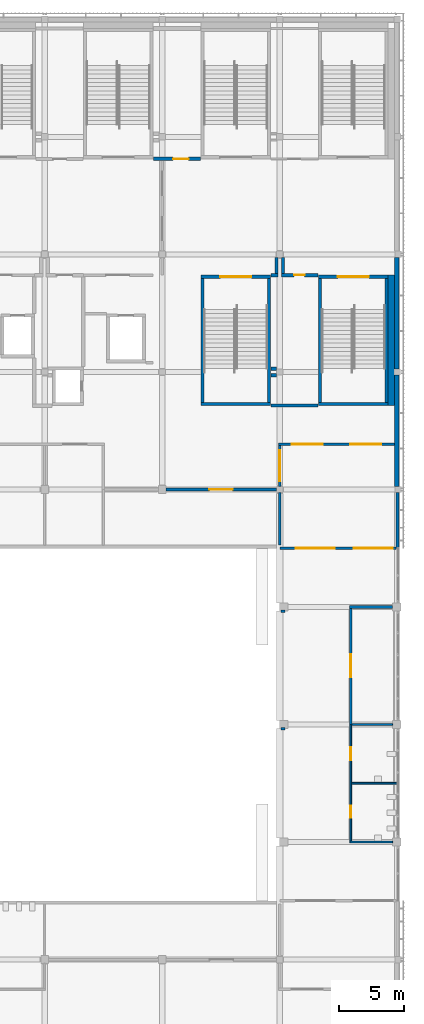
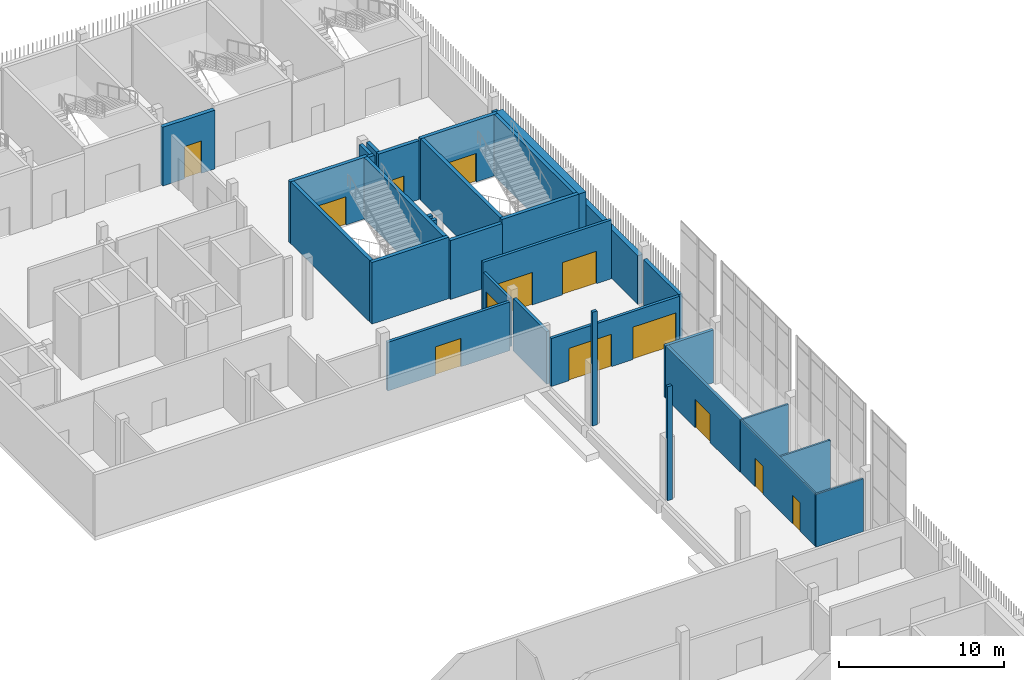
# One storey, part 55 of 91: 33 walls, 13 doors, 13 openings.
"""IFC4 building model written with IfcOpenShell, lengths in metres."""

from ifc_helpers import new_model, si_unit, direction, frame, frame_2d, origin, place, context, subcontext, project, spatial, rectangle, extrude, material, layer, layer_set, type_object, element, fill, save


model = new_model("IFC4")

# Units and contexts
model_context = context("Model", 3, precision=1e-05, world=origin(), true_north=direction((0.0, 1.0)))
body_context = subcontext(model_context, "Body", "Model", "MODEL_VIEW")
ifc_project = project(units=[si_unit("LENGTHUNIT", "METRE"), si_unit("AREAUNIT", "SQUARE_METRE"), si_unit("VOLUMEUNIT", "CUBIC_METRE"), si_unit("PLANEANGLEUNIT", "RADIAN"), si_unit("MASSUNIT", "GRAM", prefix="KILO")], contexts=[model_context])

# Site, building, storey
site_placement = place(None, origin())
site = spatial("IfcSite", under=ifc_project, at=site_placement, CompositionType="ELEMENT")
building_placement = place(site_placement, origin())
building = spatial("IfcBuilding", under=site, at=building_placement, Name="Shirokan Park Arena", CompositionType="ELEMENT")
storey_placement = place(building_placement, frame((0.0, 0.0, 24.570068359375)))
storey = spatial("IfcBuildingStorey", under=building, at=storey_placement, Name="L05", CompositionType="ELEMENT", Elevation=24.570068359375)

# Walls
ifc_material_1 = material(Name="Plaster")
ifc_layer_1 = layer(ifc_material_1, 0.014892578125, Name="Plaster")
ifc_material_2 = material(Name="Concrete blockwork", Category="masonry")
ifc_layer_2 = layer(ifc_material_2, 0.219970703125, Name="Concrete blockwork 220")
ifc_layer_3 = layer(ifc_material_1, 0.014892578125, Name="Plaster")
ifc_layer_set_1 = layer_set([ifc_layer_1, ifc_layer_2, ifc_layer_3], Name="Plaster + Concrete blockwork 220")
wall_type_1 = type_object("IfcWallType", Name="Compartment wall 250", PredefinedType="SOLIDWALL", material=ifc_layer_set_1)
for number, where, z_axis, x_axis, name in (
    (1, (135.830078125, 81.64990234375, 0.0), (0.0, 0.0, 1.0), (1.0, 0.0, 0.0), "Compartment wall 250 L05"),
    (2, (136.25, 82.14990234375, 0.0), (0.0, 0.0, 1.0), (-1.0, 0.0, 0.0), "Compartment wall 250 L05"),
):
    element("IfcWall", number, at=place(storey_placement, frame(where, z_axis=z_axis, x_axis=x_axis)), inside=storey, type_object=wall_type_1, Name=name, PredefinedType="SOLIDWALL", context=body_context, shape_type="SweptSolid", body=[
        extrude(rectangle(XDim=0.419921875, YDim=0.25, at=frame_2d((0.2099609375, 0.0))), origin(), (0.0, 0.0, 1.0), 4.349853515625),
    ])
wall_1_placement = place(storey_placement, frame((136.25, 90.75, 0.0), z_axis=(0.0, 0.0, 1.0), x_axis=(0.0, -1.0, 0.0)))
element("IfcWall", 3, at=wall_1_placement, inside=storey, type_object=wall_type_1, Name="Compartment wall 250 L05", PredefinedType="SOLIDWALL", context=body_context, shape_type="SweptSolid", body=[
    extrude(rectangle(XDim=1.22509765625, YDim=0.25, at=frame_2d((0.612548828125, 0.0))), origin(), (0.0, 0.0, 1.0), 4.349853515625),
])
wall_2_placement = place(storey_placement, frame((136.375, 89.39990234375, 0.0), z_axis=(0.0, 0.0, 1.0), x_axis=(-1.0, 0.0, 0.0)))
element("IfcWall", 4, at=wall_2_placement, inside=storey, type_object=wall_type_1, Name="Compartment wall 250 L05", PredefinedType="SOLIDWALL", context=body_context, shape_type="SweptSolid", body=[
    extrude(rectangle(XDim=0.544921875, YDim=0.25, at=frame_2d((0.2724609375, 0.0))), origin(), (0.0, 0.0, 1.0), 4.349853515625),
])
wall_3_placement = place(storey_placement, frame((136.75, 89.52490234375, 0.0), z_axis=(0.0, 0.0, 1.0), x_axis=(0.0, 1.0, 0.0)))
element("IfcWall", 5, at=wall_3_placement, inside=storey, type_object=wall_type_1, Name="Compartment wall 250 L05", PredefinedType="SOLIDWALL", context=body_context, shape_type="SweptSolid", body=[
    extrude(rectangle(XDim=1.22509765625, YDim=0.25, at=frame_2d((0.612548828125, 0.0))), origin(), (0.0, 0.0, 1.0), 4.349853515625),
])
wall_4_placement = place(storey_placement, frame((139.469970703125, 79.300048828125, 0.0), z_axis=(0.0, 0.0, 1.0), x_axis=(-1.0, 0.0, 0.0)))
element("IfcWall", 6, at=wall_4_placement, inside=storey, type_object=wall_type_1, Name="Compartment wall 250 L05", PredefinedType="SOLIDWALL", context=body_context, shape_type="SweptSolid", body=[
    extrude(rectangle(XDim=3.639892578125, YDim=0.25, at=frame_2d((1.81982421875, 0.0))), origin(), (0.0, 0.0, 1.0), 4.349853515625),
])

# Wall, opening, door
wall_5_placement = place(storey_placement, frame((139.469970703125, 89.39990234375, 0.0), z_axis=(0.0, 0.0, 1.0), x_axis=(-1.0, 0.0, 0.0)))
wall_5 = element("IfcWall", 7, at=wall_5_placement, inside=storey, type_object=wall_type_1, Name="Compartment wall 250 L05", PredefinedType="SOLIDWALL", context=body_context, shape_type="SweptSolid", body=[
    extrude(rectangle(XDim=2.844970703125, YDim=0.25, at=frame_2d((1.42236328125, 0.0))), origin(), (0.0, 0.0, 1.0), 4.349853515625),
])
opening_1_placement = place(wall_5_placement, frame((1.050048828125, 0.0, 0.0)))
opening_1 = element("IfcOpeningElement", 8, at=opening_1_placement, cuts=wall_5, Name="Opening D-5023", PredefinedType="OPENING", context=body_context, shape_type="SweptSolid", body=[
    extrude(rectangle(XDim=0.800048828125, YDim=2.10009765625, at=frame_2d((0.39990234375, 1.050048828125))), frame((0.0, 0.135009765625, 0.0), z_axis=(0.0, -1.0, 0.0), x_axis=(1.0, 0.0, 0.0)), (0.0, 0.0, 1.0), 0.27001953125),
])
ifc_material_3 = material(Name="Timber door set, fire resisting", Category="wood")
door_type_1 = type_object("IfcDoorType", Name="Cleaner store door 800 x 2100", OperationType="SINGLE_SWING_LEFT", PredefinedType="DOOR", material=ifc_material_3)
door_1_placement = place(opening_1_placement, origin())
door_1 = element("IfcDoor", 9, at=door_1_placement, inside=storey, type_object=door_type_1, Name="Door to Cleaner's Store 5.37 D-5023", OperationType="SINGLE_SWING_LEFT", OverallHeight=2.10009765625, OverallWidth=0.800048828125, PredefinedType="DOOR", context=body_context, shape_type="SweptSolid", body=[
    extrude(rectangle(XDim=0.800048828125, YDim=2.10009765625, at=frame_2d((0.39990234375, 1.050048828125))), frame((0.0, 0.02490234375, 0.0), z_axis=(0.0, -1.0, 0.0), x_axis=(1.0, 0.0, 0.0)), (0.0, 0.0, 1.0), 0.050048828125),
])
fill(opening_1, door_1)

ifc_material_4 = material(Name="Gypsum board")
ifc_layer_4 = layer(ifc_material_4, 0.02490234375, Name="Gypsum board, two layers")
ifc_material_5 = material(Name="Mineral wool insulation")
ifc_layer_5 = layer(ifc_material_5, 0.14990234375, Name="Mineral wool insulation")
ifc_layer_6 = layer(ifc_material_4, 0.02490234375, Name="Gypsum board, two layers")
ifc_layer_set_2 = layer_set([ifc_layer_4, ifc_layer_5, ifc_layer_6], Name="Gypsum board, two layers + Mineral wool insulation")
wall_type_2 = type_object("IfcWallType", Name="Corridor wall 200", PredefinedType="PARTITIONING", material=ifc_layer_set_2)
wall_6_placement = place(storey_placement, frame((127.699951171875, 72.800048828125, 0.0), z_axis=(0.0, 0.0, 1.0), x_axis=(1.0, 0.0, 0.0)))
wall_6 = element("IfcWall", 10, at=wall_6_placement, inside=storey, type_object=wall_type_2, Name="Corridor wall 200 L05", PredefinedType="PARTITIONING", context=body_context, shape_type="SweptSolid", body=[
    extrude(rectangle(XDim=8.550048828125, YDim=0.199951171875, at=frame_2d((4.27490234375, 0.0))), origin(), (0.0, 0.0, 1.0), 3.599853515625),
])
opening_2_placement = place(wall_6_placement, frame((3.35009765625, 0.0, 0.0)))
opening_2 = element("IfcOpeningElement", 11, at=opening_2_placement, cuts=wall_6, Name="Opening D-5029", PredefinedType="OPENING", context=body_context, shape_type="SweptSolid", body=[
    extrude(rectangle(XDim=1.800048828125, YDim=2.10009765625, at=frame_2d((0.89990234375, 1.050048828125))), frame((0.0, 0.10986328125, 0.0), z_axis=(0.0, -1.0, 0.0), x_axis=(1.0, 0.0, 0.0)), (0.0, 0.0, 1.0), 0.219970703125),
])
door_type_2 = type_object("IfcDoorType", Name="Double door 1800 x 2100", OperationType="DOUBLE_DOOR_SINGLE_SWING", PredefinedType="DOOR", material=ifc_material_3)
door_2_placement = place(opening_2_placement, origin())
door_2 = element("IfcDoor", 12, at=door_2_placement, inside=storey, type_object=door_type_2, Name="Door to Fan Shop 5.31 D-5029", OperationType="DOUBLE_DOOR_SINGLE_SWING", OverallHeight=2.10009765625, OverallWidth=1.800048828125, PredefinedType="DOOR", context=body_context, shape_type="SweptSolid", body=[
    extrude(rectangle(XDim=1.800048828125, YDim=2.10009765625, at=frame_2d((0.89990234375, 1.050048828125))), frame((0.0, 0.02490234375, 0.0), z_axis=(0.0, -1.0, 0.0), x_axis=(1.0, 0.0, 0.0)), (0.0, 0.0, 1.0), 0.050048828125),
])
fill(opening_2, door_2)

# Wall
wall_7_placement = place(storey_placement, frame((136.5, 72.550048828125, 0.0), z_axis=(0.0, 0.0, 1.0), x_axis=(0.0, -1.0, 0.0)))
element("IfcWall", 13, at=wall_7_placement, inside=storey, type_object=wall_type_2, Name="Corridor wall 200 L05", PredefinedType="PARTITIONING", context=body_context, shape_type="SweptSolid", body=[
    extrude(rectangle(XDim=4.050048828125, YDim=0.199951171875, at=frame_2d((2.02490234375, 0.0))), origin(), (0.0, 0.0, 1.0), 3.89990234375),
])

# Wall, opening, door
wall_8_placement = place(storey_placement, frame((136.5, 76.199951171875, 0.0), z_axis=(0.0, 0.0, 1.0), x_axis=(0.0, -1.0, 0.0)))
wall_8 = element("IfcWall", 14, at=wall_8_placement, inside=storey, type_object=wall_type_2, Name="Corridor wall 200 L05", PredefinedType="PARTITIONING", context=body_context, shape_type="SweptSolid", body=[
    extrude(rectangle(XDim=3.14990234375, YDim=0.199951171875, at=frame_2d((1.574951171875, 0.0))), origin(), (0.0, 0.0, 1.0), 3.599853515625),
])
opening_3_placement = place(wall_8_placement, frame((0.35009765625, 0.0, 0.0)))
opening_3 = element("IfcOpeningElement", 15, at=opening_3_placement, cuts=wall_8, Name="Opening D-5095", PredefinedType="OPENING", context=body_context, shape_type="SweptSolid", body=[
    extrude(rectangle(XDim=2.39990234375, YDim=2.39990234375, at=frame_2d((1.199951171875, 1.199951171875))), frame((0.0, 0.10986328125, 0.0), z_axis=(0.0, -1.0, 0.0), x_axis=(1.0, 0.0, 0.0)), (0.0, 0.0, 1.0), 0.219970703125),
])
ifc_material_6 = material(Name="Steel door set, fire resisting", Category="steel")
door_type_3 = type_object("IfcDoorType", Name="Double door 2400 x 2400", OperationType="DOUBLE_DOOR_SINGLE_SWING", PredefinedType="DOOR", material=ifc_material_6)
door_3_placement = place(opening_3_placement, origin())
door_3 = element("IfcDoor", 16, at=door_3_placement, inside=storey, type_object=door_type_3, Name="Door between Service Corridor 3.5 and Concourse Link 3.5 D-5095", OperationType="DOUBLE_DOOR_SINGLE_SWING", OverallHeight=2.39990234375, OverallWidth=2.39990234375, PredefinedType="DOOR", context=body_context, shape_type="SweptSolid", body=[
    extrude(rectangle(XDim=2.39990234375, YDim=2.39990234375, at=frame_2d((1.199951171875, 1.199951171875))), frame((0.0, 0.02490234375, 0.0), z_axis=(0.0, -1.0, 0.0), x_axis=(1.0, 0.0, 0.0)), (0.0, 0.0, 1.0), 0.050048828125),
])
fill(opening_3, door_3)

# Walls
for number, where, z_axis, x_axis, name in (
    (17, (136.60009765625, 54.27490234375, 0.0), (0.0, 0.0, 1.0), (1.0, 0.0, 0.0), "Corridor wall 200 L05"),
    (18, (136.60009765625, 63.375, 0.0), (0.0, 0.0, 1.0), (1.0, 0.0, 0.0), "Corridor wall 200 L05"),
):
    element("IfcWall", number, at=place(storey_placement, frame(where, z_axis=z_axis, x_axis=x_axis)), inside=storey, type_object=wall_type_2, Name=name, PredefinedType="PARTITIONING", context=body_context, shape_type="SweptSolid", body=[
        extrude(rectangle(XDim=0.324951171875, YDim=0.199951171875, at=frame_2d((0.16259765625, 0.0))), origin(), (0.0, 0.0, 1.0), 8.429931640625),
    ])

# Wall, openings, doors
wall_9_placement = place(storey_placement, frame((136.530029296875, 68.25, 0.0), z_axis=(0.0, 0.0, 1.0), x_axis=(1.0, 0.0, 0.0)))
wall_9 = element("IfcWall", 19, at=wall_9_placement, inside=storey, type_object=wall_type_2, Name="Corridor wall 200 L05", PredefinedType="PARTITIONING", context=body_context, shape_type="SweptSolid", body=[
    extrude(rectangle(XDim=8.969970703125, YDim=0.199951171875, at=frame_2d((4.48486328125, 0.0))), origin(), (0.0, 0.0, 1.0), 3.550048828125),
])
opening_4_placement = place(wall_9_placement, frame((1.219970703125, 0.0, 0.0)))
opening_4 = element("IfcOpeningElement", 20, at=opening_4_placement, cuts=wall_9, Name="Opening D-5104", PredefinedType="OPENING", context=body_context, shape_type="SweptSolid", body=[
    extrude(rectangle(XDim=3.0, YDim=2.39990234375, at=frame_2d((1.5, 1.199951171875))), frame((0.0, 0.10986328125, 0.0), z_axis=(0.0, -1.0, 0.0), x_axis=(1.0, 0.0, 0.0)), (0.0, 0.0, 1.0), 0.219970703125),
])
opening_5_placement = place(wall_9_placement, frame((5.719970703125, 0.0, 0.0)))
opening_5 = element("IfcOpeningElement", 21, at=opening_5_placement, cuts=wall_9, Name="Opening D-5105", PredefinedType="OPENING", context=body_context, shape_type="SweptSolid", body=[
    extrude(rectangle(XDim=3.0, YDim=2.39990234375, at=frame_2d((1.5, 1.199951171875))), frame((0.0, 0.10986328125, 0.0), z_axis=(0.0, -1.0, 0.0), x_axis=(1.0, 0.0, 0.0)), (0.0, 0.0, 1.0), 0.219970703125),
])
ifc_material_7 = material(Name="Glazed steel door set, fire resisting", Category="steel")
door_type_4 = type_object("IfcDoorType", Name="Concourse door 3000 x 2400", OperationType="DOUBLE_DOOR_SINGLE_SWING", PredefinedType="DOOR", material=ifc_material_7)
door_4_placement = place(opening_4_placement, origin())
door_4 = element("IfcDoor", 22, at=door_4_placement, inside=storey, type_object=door_type_4, Name="Door between Concourse Link 3.5 and Concourse L05 East Hall D-5104", OperationType="DOUBLE_DOOR_SINGLE_SWING", OverallHeight=2.39990234375, OverallWidth=3.0, PredefinedType="DOOR", context=body_context, shape_type="SweptSolid", body=[
    extrude(rectangle(XDim=3.0, YDim=2.39990234375, at=frame_2d((1.5, 1.199951171875))), frame((0.0, 0.02490234375, 0.0), z_axis=(0.0, -1.0, 0.0), x_axis=(1.0, 0.0, 0.0)), (0.0, 0.0, 1.0), 0.050048828125),
])
fill(opening_4, door_4)
door_5_placement = place(opening_5_placement, origin())
door_5 = element("IfcDoor", 23, at=door_5_placement, inside=storey, type_object=door_type_4, Name="Door between Concourse Link 3.5 and Concourse L05 East Hall D-5105", OperationType="DOUBLE_DOOR_SINGLE_SWING", OverallHeight=2.39990234375, OverallWidth=3.0, PredefinedType="DOOR", context=body_context, shape_type="SweptSolid", body=[
    extrude(rectangle(XDim=3.0, YDim=2.39990234375, at=frame_2d((1.5, 1.199951171875))), frame((0.0, 0.02490234375, 0.0), z_axis=(0.0, -1.0, 0.0), x_axis=(1.0, 0.0, 0.0)), (0.0, 0.0, 1.0), 0.050048828125),
])
fill(opening_5, door_5)

wall_10_placement = place(storey_placement, frame((145.39990234375, 76.300048828125, 0.0), z_axis=(0.0, 0.0, 1.0), x_axis=(-1.0, 0.0, 0.0)))
wall_10 = element("IfcWall", 24, at=wall_10_placement, inside=storey, type_object=wall_type_2, Name="Corridor wall 200 L05", PredefinedType="PARTITIONING", context=body_context, shape_type="SweptSolid", body=[
    extrude(rectangle(XDim=9.0, YDim=0.199951171875, at=frame_2d((4.5, 0.0))), origin(), (0.0, 0.0, 1.0), 4.349853515625),
])
opening_6_placement = place(wall_10_placement, frame((1.050048828125, 0.0, 0.0)))
opening_6 = element("IfcOpeningElement", 25, at=opening_6_placement, cuts=wall_10, Name="Opening D-5093", PredefinedType="OPENING", context=body_context, shape_type="SweptSolid", body=[
    extrude(rectangle(XDim=2.39990234375, YDim=2.39990234375, at=frame_2d((1.199951171875, 1.199951171875))), frame((0.0, 0.10986328125, 0.0), z_axis=(0.0, -1.0, 0.0), x_axis=(1.0, 0.0, 0.0)), (0.0, 0.0, 1.0), 0.219970703125),
])
opening_7_placement = place(wall_10_placement, frame((5.550048828125, 0.0, 0.0)))
opening_7 = element("IfcOpeningElement", 26, at=opening_7_placement, cuts=wall_10, Name="Opening D-5094", PredefinedType="OPENING", context=body_context, shape_type="SweptSolid", body=[
    extrude(rectangle(XDim=2.39990234375, YDim=2.39990234375, at=frame_2d((1.199951171875, 1.199951171875))), frame((0.0, 0.10986328125, 0.0), z_axis=(0.0, -1.0, 0.0), x_axis=(1.0, 0.0, 0.0)), (0.0, 0.0, 1.0), 0.219970703125),
])
door_6_placement = place(opening_6_placement, origin())
door_6 = element("IfcDoor", 27, at=door_6_placement, inside=storey, type_object=door_type_3, Name="Door between Service Corridor 3.5 and Concourse Link 3.5 D-5093", OperationType="DOUBLE_DOOR_SINGLE_SWING", OverallHeight=2.39990234375, OverallWidth=2.39990234375, PredefinedType="DOOR", context=body_context, shape_type="SweptSolid", body=[
    extrude(rectangle(XDim=2.39990234375, YDim=2.39990234375, at=frame_2d((1.199951171875, 1.199951171875))), frame((0.0, 0.02490234375, 0.0), z_axis=(0.0, -1.0, 0.0), x_axis=(1.0, 0.0, 0.0)), (0.0, 0.0, 1.0), 0.050048828125),
])
fill(opening_6, door_6)
door_7_placement = place(opening_7_placement, origin())
door_7 = element("IfcDoor", 28, at=door_7_placement, inside=storey, type_object=door_type_3, Name="Door between Service Corridor 3.5 and Concourse Link 3.5 D-5094", OperationType="DOUBLE_DOOR_SINGLE_SWING", OverallHeight=2.39990234375, OverallWidth=2.39990234375, PredefinedType="DOOR", context=body_context, shape_type="SweptSolid", body=[
    extrude(rectangle(XDim=2.39990234375, YDim=2.39990234375, at=frame_2d((1.199951171875, 1.199951171875))), frame((0.0, 0.02490234375, 0.0), z_axis=(0.0, -1.0, 0.0), x_axis=(1.0, 0.0, 0.0)), (0.0, 0.0, 1.0), 0.050048828125),
])
fill(opening_7, door_7)

# Walls
ifc_material_8 = material(Name="Cedar cladding")
ifc_layer_7 = layer(ifc_material_8, 0.030029296875, Name="Cedar cladding")
ifc_layer_8 = layer(ifc_material_5, 0.10009765625, Name="Mineral wool insulation")
ifc_material_9 = material(Name="Concrete C35", Category="concrete")
ifc_layer_9 = layer(ifc_material_9, 0.199951171875, Name="Concrete C35")
ifc_material_10 = material(Name="Gypsum board lining")
ifc_layer_10 = layer(ifc_material_10, 0.02001953125, Name="Gypsum board lining")
ifc_layer_set_3 = layer_set([ifc_layer_7, ifc_layer_8, ifc_layer_9, ifc_layer_10], Name="Cedar cladding + Mineral wool insulation + Concrete C35 + Gypsum board lining")
wall_type_3 = type_object("IfcWallType", Name="Insulated tower wall 350", PredefinedType="SOLIDWALL", material=ifc_layer_set_3)
wall_11_placement = place(storey_placement, frame((145.574951171875, 73.050048828125, 0.0), z_axis=(0.0, 0.0, 1.0), x_axis=(0.0, 1.0, 0.0)))
element("IfcWall", 29, at=wall_11_placement, inside=storey, type_object=wall_type_3, Name="East facade wall bay 9 L05", PredefinedType="SOLIDWALL", context=body_context, shape_type="SweptSolid", body=[
    extrude(rectangle(XDim=8.599853515625, YDim=0.35009765625, at=frame_2d((4.2998046875, 0.0))), origin(), (0.0, 0.0, 1.0), 3.599853515625),
])
wall_12_placement = place(storey_placement, frame((145.574951171875, 82.14990234375, 0.0), z_axis=(0.0, 0.0, 1.0), x_axis=(0.0, 1.0, 0.0)))
element("IfcWall", 30, at=wall_12_placement, inside=storey, type_object=wall_type_3, Name="East facade wall bay 10 L05", PredefinedType="SOLIDWALL", context=body_context, shape_type="SweptSolid", body=[
    extrude(rectangle(XDim=8.60009765625, YDim=0.35009765625, at=frame_2d((4.300048828125, 0.0))), origin(), (0.0, 0.0, 1.0), 3.599853515625),
])
ifc_layer_11 = layer(ifc_material_9, 0.125)
ifc_layer_set_4 = layer_set([ifc_layer_11], Name="Concrete C35 125 mm")
wall_type_4 = type_object("IfcWallType", Name="Pavilion RC wall 125", PredefinedType="SOLIDWALL", material=ifc_layer_set_4)
wall_13_placement = place(storey_placement, frame((141.9375, 45.5, 0.0), z_axis=(0.0, 0.0, 1.0), x_axis=(1.0, 0.0, 0.0)))
element("IfcWall", 31, at=wall_13_placement, inside=storey, type_object=wall_type_4, Name="Wet-area wall 125 L05", PredefinedType="PARTITIONING", context=body_context, shape_type="SweptSolid", body=[
    extrude(rectangle(XDim=3.3125, YDim=0.125, at=frame_2d((1.65625, 0.0))), origin(), (0.0, 0.0, 1.0), 3.89990234375),
])

# Wall, openings, doors
wall_14_placement = place(storey_placement, frame((142.0, 45.5625, 0.0), z_axis=(0.0, 0.0, 1.0), x_axis=(0.0, 1.0, 0.0)))
wall_14 = element("IfcWall", 32, at=wall_14_placement, inside=storey, type_object=wall_type_4, Name="Wet-area wall 125 L05", PredefinedType="PARTITIONING", context=body_context, shape_type="SweptSolid", body=[
    extrude(rectangle(XDim=9.03759765625, YDim=0.125, at=frame_2d((4.518798828125, 0.0))), origin(), (0.0, 0.0, 1.0), 3.89990234375),
])
opening_8_placement = place(wall_14_placement, frame((1.83740234375, 0.0, 0.0)))
opening_8 = element("IfcOpeningElement", 33, at=opening_8_placement, cuts=wall_14, Name="Opening D-5044", PredefinedType="OPENING", context=body_context, shape_type="SweptSolid", body=[
    extrude(rectangle(XDim=0.89990234375, YDim=2.10009765625, at=frame_2d((0.449951171875, 1.050048828125))), frame((0.0, 0.072509765625, 0.0), z_axis=(0.0, -1.0, 0.0), x_axis=(1.0, 0.0, 0.0)), (0.0, 0.0, 1.0), 0.14501953125),
])
opening_9_placement = place(wall_14_placement, frame((6.28759765625, 0.0, 0.0)))
opening_9 = element("IfcOpeningElement", 34, at=opening_9_placement, cuts=wall_14, Name="Opening D-5045", PredefinedType="OPENING", context=body_context, shape_type="SweptSolid", body=[
    extrude(rectangle(XDim=1.0, YDim=2.10009765625, at=frame_2d((0.5, 1.050048828125))), frame((0.0, 0.072509765625, 0.0), z_axis=(0.0, -1.0, 0.0), x_axis=(1.0, 0.0, 0.0)), (0.0, 0.0, 1.0), 0.14501953125),
])
door_type_5 = type_object("IfcDoorType", Name="Accessible WC door 1000 x 2100", OperationType="SINGLE_SWING_RIGHT", PredefinedType="DOOR", material=ifc_material_3)
door_8_placement = place(opening_9_placement, origin())
door_8 = element("IfcDoor", 35, at=door_8_placement, inside=storey, type_object=door_type_5, Name="Door to Accessible WC 5.22 D-5045", OperationType="SINGLE_SWING_RIGHT", OverallHeight=2.10009765625, OverallWidth=1.0, PredefinedType="DOOR", context=body_context, shape_type="SweptSolid", body=[
    extrude(rectangle(XDim=1.0, YDim=2.10009765625, at=frame_2d((0.5, 1.050048828125))), frame((0.0, 0.02490234375, 0.0), z_axis=(0.0, -1.0, 0.0), x_axis=(1.0, 0.0, 0.0)), (0.0, 0.0, 1.0), 0.050048828125),
])
fill(opening_9, door_8)
door_type_6 = type_object("IfcDoorType", Name="Door 900 x 2100", OperationType="SINGLE_SWING_LEFT", PredefinedType="DOOR", material=ifc_material_3)
door_9_placement = place(opening_8_placement, origin())
door_9 = element("IfcDoor", 36, at=door_9_placement, inside=storey, type_object=door_type_6, Name="Door to Men's WC 5.21 D-5044", OperationType="SINGLE_SWING_RIGHT", OverallHeight=2.10009765625, OverallWidth=0.89990234375, PredefinedType="DOOR", context=body_context, shape_type="SweptSolid", body=[
    extrude(rectangle(XDim=0.89990234375, YDim=2.10009765625, at=frame_2d((0.449951171875, 1.050048828125))), frame((0.0, 0.02490234375, 0.0), z_axis=(0.0, -1.0, 0.0), x_axis=(1.0, 0.0, 0.0)), (0.0, 0.0, 1.0), 0.050048828125),
])
fill(opening_8, door_9)

# Walls
wall_15_placement = place(storey_placement, frame((142.0625, 50.050048828125, 0.0), z_axis=(0.0, 0.0, 1.0), x_axis=(1.0, 0.0, 0.0)))
element("IfcWall", 37, at=wall_15_placement, inside=storey, type_object=wall_type_4, Name="Wet-area wall 125 L05", PredefinedType="PARTITIONING", context=body_context, shape_type="SweptSolid", body=[
    extrude(rectangle(XDim=3.507568359375, YDim=0.125, at=frame_2d((1.75390625, 0.0))), origin(), (0.0, 0.0, 1.0), 3.89990234375),
])
wall_16_placement = place(storey_placement, frame((142.10009765625, 54.60009765625, 0.0), z_axis=(0.0, 0.0, 1.0), x_axis=(1.0, 0.0, 0.0)))
element("IfcWall", 38, at=wall_16_placement, inside=storey, type_object=wall_type_4, Name="Wet-area wall 125 L05", PredefinedType="PARTITIONING", context=body_context, shape_type="SweptSolid", body=[
    extrude(rectangle(XDim=3.14990234375, YDim=0.125, at=frame_2d((1.574951171875, 0.0))), origin(), (0.0, 0.0, 1.0), 3.89990234375),
])

# Wall, opening, door
ifc_layer_12 = layer(ifc_material_9, 0.199951171875)
ifc_layer_set_5 = layer_set([ifc_layer_12], Name="Concrete C35 200 mm")
wall_type_5 = type_object("IfcWallType", Name="Pavilion RC wall 200", PredefinedType="SOLIDWALL", material=ifc_layer_set_5)
wall_17_placement = place(storey_placement, frame((142.0, 63.60009765625, 0.0), z_axis=(0.0, 0.0, 1.0), x_axis=(0.0, -1.0, 0.0)))
wall_17 = element("IfcWall", 39, at=wall_17_placement, inside=storey, type_object=wall_type_5, Name="Corridor wall 200 L05", PredefinedType="PARTITIONING", context=body_context, shape_type="SweptSolid", body=[
    extrude(rectangle(XDim=9.0, YDim=0.199951171875, at=frame_2d((4.5, 0.0))), origin(), (0.0, 0.0, 1.0), 3.89990234375),
])
opening_10_placement = place(wall_17_placement, frame((3.550048828125, 0.0, 0.0)))
opening_10 = element("IfcOpeningElement", 40, at=opening_10_placement, cuts=wall_17, Name="Opening D-5046", PredefinedType="OPENING", context=body_context, shape_type="SweptSolid", body=[
    extrude(rectangle(XDim=1.800048828125, YDim=2.10009765625, at=frame_2d((0.89990234375, 1.050048828125))), frame((0.0, 0.10986328125, 0.0), z_axis=(0.0, -1.0, 0.0), x_axis=(1.0, 0.0, 0.0)), (0.0, 0.0, 1.0), 0.219970703125),
])
door_10_placement = place(opening_10_placement, origin())
door_10 = element("IfcDoor", 41, at=door_10_placement, inside=storey, type_object=door_type_2, Name="Door to Concession Kiosk 5.23 D-5046", OperationType="DOUBLE_DOOR_SINGLE_SWING", OverallHeight=2.10009765625, OverallWidth=1.800048828125, PredefinedType="DOOR", context=body_context, shape_type="SweptSolid", body=[
    extrude(rectangle(XDim=1.800048828125, YDim=2.10009765625, at=frame_2d((0.89990234375, 1.050048828125))), frame((0.0, 0.02490234375, 0.0), z_axis=(0.0, -1.0, 0.0), x_axis=(1.0, 0.0, 0.0)), (0.0, 0.0, 1.0), 0.050048828125),
])
fill(opening_10, door_10)

# Wall
wall_18_placement = place(storey_placement, frame((145.25, 63.699951171875, 0.0), z_axis=(0.0, 0.0, 1.0), x_axis=(-1.0, 0.0, 0.0)))
element("IfcWall", 42, at=wall_18_placement, inside=storey, type_object=wall_type_5, Name="Corridor wall 200 L05", PredefinedType="PARTITIONING", context=body_context, shape_type="SweptSolid", body=[
    extrude(rectangle(XDim=3.35009765625, YDim=0.199951171875, at=frame_2d((1.675048828125, 0.0))), origin(), (0.0, 0.0, 1.0), 3.89990234375),
])

# Wall, opening, door
ifc_layer_13 = layer(ifc_material_1, 0.012451171875, Name="Plaster")
ifc_layer_14 = layer(ifc_material_2, 0.25, Name="Concrete blockwork 250")
ifc_layer_15 = layer(ifc_material_1, 0.012451171875, Name="Plaster")
ifc_layer_set_6 = layer_set([ifc_layer_13, ifc_layer_14, ifc_layer_15], Name="Plaster + Concrete blockwork 250")
wall_type_6 = type_object("IfcWallType", Name="Plant room wall 275", PredefinedType="SOLIDWALL", material=ifc_layer_set_6)
wall_19_placement = place(storey_placement, frame((126.72998046875, 98.39990234375, 0.0), z_axis=(0.0, 0.0, 1.0), x_axis=(1.0, 0.0, 0.0)))
wall_19 = element("IfcWall", 43, at=wall_19_placement, inside=storey, type_object=wall_type_6, Name="Plant room wall 275 L05", PredefinedType="SOLIDWALL", context=body_context, shape_type="SweptSolid", body=[
    extrude(rectangle(XDim=3.64013671875, YDim=0.27490234375, at=frame_2d((1.820068359375, 0.0))), origin(), (0.0, 0.0, 1.0), 4.349853515625),
])
opening_11_placement = place(wall_19_placement, frame((1.52001953125, 0.0, 0.0)))
opening_11 = element("IfcOpeningElement", 44, at=opening_11_placement, cuts=wall_19, Name="Opening D-5027", PredefinedType="OPENING", context=body_context, shape_type="SweptSolid", body=[
    extrude(rectangle(XDim=1.199951171875, YDim=2.39990234375, at=frame_2d((0.60009765625, 1.199951171875))), frame((0.0, 0.1474609375, 0.0), z_axis=(0.0, -1.0, 0.0), x_axis=(1.0, 0.0, 0.0)), (0.0, 0.0, 1.0), 0.294921875),
])
ifc_material_11 = material(Name="Louvred steel door set, fire resisting", Category="steel")
door_type_7 = type_object("IfcDoorType", Name="Plant room door 1200 x 2400", OperationType="SINGLE_SWING_LEFT", PredefinedType="DOOR", material=ifc_material_11)
door_11_placement = place(opening_11_placement, origin())
door_11 = element("IfcDoor", 45, at=door_11_placement, inside=storey, type_object=door_type_7, Name="Door to Communications Room 5.31 D-5027", OperationType="SINGLE_SWING_RIGHT", OverallHeight=2.39990234375, OverallWidth=1.199951171875, PredefinedType="DOOR", context=body_context, shape_type="SweptSolid", body=[
    extrude(rectangle(XDim=1.199951171875, YDim=2.39990234375, at=frame_2d((0.60009765625, 1.199951171875))), frame((0.0, 0.02490234375, 0.0), z_axis=(0.0, -1.0, 0.0), x_axis=(1.0, 0.0, 0.0)), (0.0, 0.0, 1.0), 0.050048828125),
])
fill(opening_11, door_11)

# Walls
ifc_material_12 = material(Name="Concrete C40/50 precast", Category="concrete")
ifc_layer_16 = layer(ifc_material_12, 0.10009765625, Name="Concrete C40/50 precast")
ifc_layer_17 = layer(ifc_material_5, 0.10009765625, Name="Mineral wool insulation")
ifc_layer_18 = layer(ifc_material_10, 0.050048828125, Name="Gypsum board lining")
ifc_layer_set_7 = layer_set([ifc_layer_16, ifc_layer_17, ifc_layer_18], Name="Concrete C40/50 precast + Mineral wool insulation + Gypsum board lining")
wall_type_7 = type_object("IfcWallType", Name="Precast concrete panel wall 250", PredefinedType="SOLIDWALL", material=ifc_layer_set_7)
wall_20_placement = place(storey_placement, frame((145.625, 68.25, 0.0), z_axis=(0.0, 0.0, 1.0), x_axis=(0.0, 1.0, 0.0)))
element("IfcWall", 46, at=wall_20_placement, inside=storey, type_object=wall_type_7, Name="East facade wall bay 8 L05", PredefinedType="SOLIDWALL", context=body_context, shape_type="SweptSolid", body=[
    extrude(rectangle(XDim=4.300048828125, YDim=0.25, at=frame_2d((2.14990234375, 0.0))), origin(), (0.0, 0.0, 1.0), 3.599853515625),
])
ifc_material_13 = material(Name="Concrete C40/50", Category="concrete")
ifc_layer_19 = layer(ifc_material_13, 0.25)
ifc_layer_set_8 = layer_set([ifc_layer_19], Name="Concrete C40/50 250 mm")
wall_type_8 = type_object("IfcWallType", Name="RC shear wall 250", PredefinedType="SHEAR", material=ifc_layer_set_8)
wall_21_placement = place(storey_placement, frame((144.89990234375, 79.425048828125, 0.0), z_axis=(0.0, 0.0, 1.0), x_axis=(-1.0, 0.0, 0.0)))
element("IfcWall", 47, at=wall_21_placement, inside=storey, type_object=wall_type_8, Name="Shaft wall Exit Stair 3.E S L05", PredefinedType="SHEAR", context=body_context, shape_type="SweptSolid", body=[
    extrude(rectangle(XDim=5.39990234375, YDim=0.25, at=frame_2d((2.699951171875, 0.0))), origin(), (0.0, 0.0, 1.0), 4.550048828125),
])

# Wall, opening, door
wall_22_placement = place(storey_placement, frame((144.89990234375, 89.27490234375, 0.0), z_axis=(0.0, 0.0, 1.0), x_axis=(-1.0, 0.0, 0.0)))
wall_22 = element("IfcWall", 48, at=wall_22_placement, inside=storey, type_object=wall_type_8, Name="Shaft wall Exit Stair 3.E N L05", PredefinedType="SHEAR", context=body_context, shape_type="SweptSolid", body=[
    extrude(rectangle(XDim=5.39990234375, YDim=0.25, at=frame_2d((2.699951171875, 0.0))), origin(), (0.0, 0.0, 1.0), 4.550048828125),
])
opening_12_placement = place(wall_22_placement, frame((1.5, 0.0, 0.0)))
opening_12 = element("IfcOpeningElement", 49, at=opening_12_placement, cuts=wall_22, Name="Opening D-5151", PredefinedType="OPENING", context=body_context, shape_type="SweptSolid", body=[
    extrude(rectangle(XDim=2.39990234375, YDim=2.10009765625, at=frame_2d((1.199951171875, 1.050048828125))), frame((0.0, 0.135009765625, 0.0), z_axis=(0.0, -1.0, 0.0), x_axis=(1.0, 0.0, 0.0)), (0.0, 0.0, 1.0), 0.27001953125),
])
door_type_8 = type_object("IfcDoorType", Name="Stair door 2400 x 2100", OperationType="DOUBLE_DOOR_SINGLE_SWING", PredefinedType="DOOR", material=ifc_material_6)
door_12_placement = place(opening_12_placement, origin())
door_12 = element("IfcDoor", 50, at=door_12_placement, inside=storey, type_object=door_type_8, Name="Stair door Exit Stair 3.E D-5151", OperationType="DOUBLE_DOOR_SINGLE_SWING", OverallHeight=2.10009765625, OverallWidth=2.39990234375, PredefinedType="DOOR", context=body_context, shape_type="SweptSolid", body=[
    extrude(rectangle(XDim=2.39990234375, YDim=2.10009765625, at=frame_2d((1.199951171875, 1.050048828125))), frame((0.0, 0.02490234375, 0.0), z_axis=(0.0, -1.0, 0.0), x_axis=(1.0, 0.0, 0.0)), (0.0, 0.0, 1.0), 0.050048828125),
])
fill(opening_12, door_12)

# Walls
for number, where, z_axis, x_axis, name in (
    (51, (139.625, 89.14990234375, 0.0), (0.0, 0.0, 1.0), (0.0, -1.0, 0.0), "Shaft wall Exit Stair 3.E W L05"),
    (52, (144.77490234375, 89.14990234375, 0.0), (0.0, 0.0, 1.0), (0.0, -1.0, 0.0), "Shaft wall Exit Stair 3.E E L05"),
):
    element("IfcWall", number, at=place(storey_placement, frame(where, z_axis=z_axis, x_axis=x_axis)), inside=storey, type_object=wall_type_8, Name=name, PredefinedType="SHEAR", context=body_context, shape_type="SweptSolid", body=[
        extrude(rectangle(XDim=9.599853515625, YDim=0.25, at=frame_2d((4.7998046875, 0.0))), origin(), (0.0, 0.0, 1.0), 4.550048828125),
    ])
wall_23_placement = place(storey_placement, frame((135.800048828125, 79.425048828125, 0.0), z_axis=(0.0, 0.0, 1.0), x_axis=(-1.0, 0.0, 0.0)))
element("IfcWall", 53, at=wall_23_placement, inside=storey, type_object=wall_type_8, Name="Shaft wall Exit Stair 3.F S L05", PredefinedType="SHEAR", context=body_context, shape_type="SweptSolid", body=[
    extrude(rectangle(XDim=5.400146484375, YDim=0.25, at=frame_2d((2.7001953125, 0.0))), origin(), (0.0, 0.0, 1.0), 4.550048828125),
])

# Wall, opening, door
wall_24_placement = place(storey_placement, frame((135.800048828125, 89.27490234375, 0.0), z_axis=(0.0, 0.0, 1.0), x_axis=(-1.0, 0.0, 0.0)))
wall_24 = element("IfcWall", 54, at=wall_24_placement, inside=storey, type_object=wall_type_8, Name="Shaft wall Exit Stair 3.F N L05", PredefinedType="SHEAR", context=body_context, shape_type="SweptSolid", body=[
    extrude(rectangle(XDim=5.400146484375, YDim=0.25, at=frame_2d((2.7001953125, 0.0))), origin(), (0.0, 0.0, 1.0), 4.550048828125),
])
opening_13_placement = place(wall_24_placement, frame((1.5, 0.0, 0.0)))
opening_13 = element("IfcOpeningElement", 55, at=opening_13_placement, cuts=wall_24, Name="Opening D-5152", PredefinedType="OPENING", context=body_context, shape_type="SweptSolid", body=[
    extrude(rectangle(XDim=2.39990234375, YDim=2.10009765625, at=frame_2d((1.199951171875, 1.050048828125))), frame((0.0, 0.135009765625, 0.0), z_axis=(0.0, -1.0, 0.0), x_axis=(1.0, 0.0, 0.0)), (0.0, 0.0, 1.0), 0.27001953125),
])
door_13_placement = place(opening_13_placement, origin())
door_13 = element("IfcDoor", 56, at=door_13_placement, inside=storey, type_object=door_type_8, Name="Stair door Exit Stair 3.F D-5152", OperationType="DOUBLE_DOOR_SINGLE_SWING", OverallHeight=2.10009765625, OverallWidth=2.39990234375, PredefinedType="DOOR", context=body_context, shape_type="SweptSolid", body=[
    extrude(rectangle(XDim=2.39990234375, YDim=2.10009765625, at=frame_2d((1.199951171875, 1.050048828125))), frame((0.0, 0.02490234375, 0.0), z_axis=(0.0, -1.0, 0.0), x_axis=(1.0, 0.0, 0.0)), (0.0, 0.0, 1.0), 0.050048828125),
])
fill(opening_13, door_13)

# Walls
for number, where, z_axis, x_axis, name in (
    (57, (130.52490234375, 89.14990234375, 0.0), (0.0, 0.0, 1.0), (0.0, -1.0, 0.0), "Shaft wall Exit Stair 3.F W L05"),
    (58, (135.675048828125, 89.14990234375, 0.0), (0.0, 0.0, 1.0), (0.0, -1.0, 0.0), "Shaft wall Exit Stair 3.F E L05"),
):
    element("IfcWall", number, at=place(storey_placement, frame(where, z_axis=z_axis, x_axis=x_axis)), inside=storey, type_object=wall_type_8, Name=name, PredefinedType="SHEAR", context=body_context, shape_type="SweptSolid", body=[
        extrude(rectangle(XDim=9.599853515625, YDim=0.25, at=frame_2d((4.7998046875, 0.0))), origin(), (0.0, 0.0, 1.0), 4.550048828125),
    ])
ifc_layer_20 = layer(ifc_material_9, 0.5)
ifc_layer_set_9 = layer_set([ifc_layer_20], Name="Concrete C35 500 mm")
wall_type_9 = type_object("IfcWallType", Name="Shaft infill wall 500", PredefinedType="SOLIDWALL", material=ifc_layer_set_9)
wall_25_placement = place(storey_placement, frame((145.14990234375, 79.300048828125, 0.0), z_axis=(0.0, 0.0, 1.0), x_axis=(0.0, 1.0, 0.0)))
element("IfcWall", 59, at=wall_25_placement, inside=storey, type_object=wall_type_9, Name="Shaft infill wall L05", PredefinedType="SOLIDWALL", context=body_context, shape_type="SweptSolid", body=[
    extrude(rectangle(XDim=10.099853515625, YDim=0.5, at=frame_2d((5.0498046875, 0.0))), origin(), (0.0, 0.0, 1.0), 4.550048828125),
])

save(model, "model.ifc")
